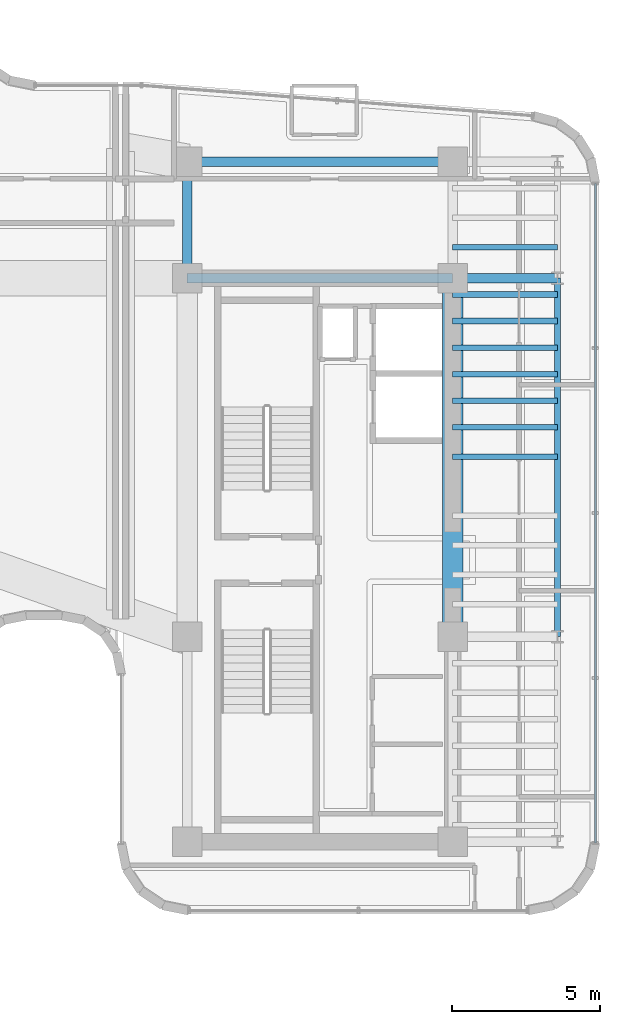
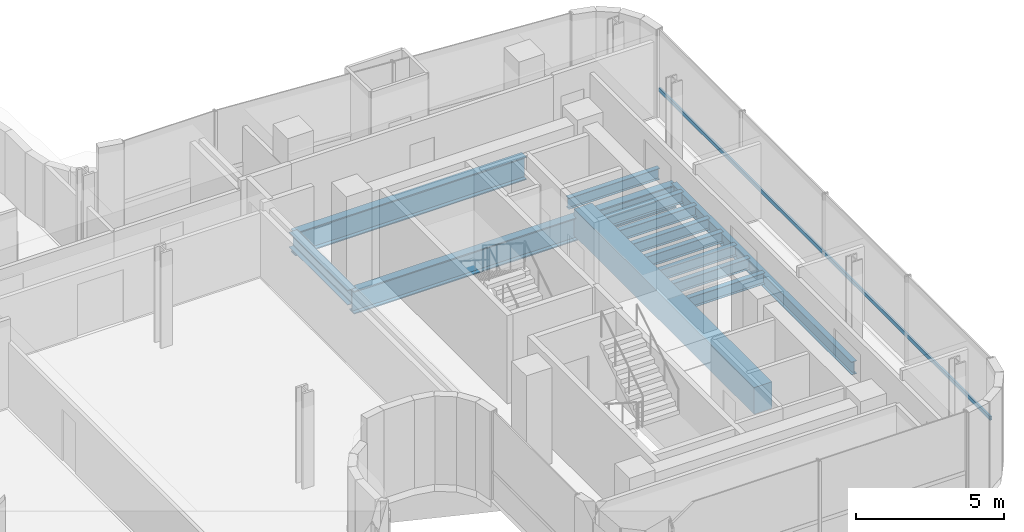
# One storey, part 15 of 36: 14 beams, 1 member, 1 element without a shape of its own.
"""IFC4 building model written with IfcOpenShell, lengths in metres."""

from ifc_helpers import new_model, si_unit, direction, frame, origin, origin_2d, place, context, subcontext, project, spatial, rectangle, hollow_rectangle, i_section, extrude, source, transform, mapped, material, material_profile, profile_set, type_object, element, aggregate, save


model = new_model("IFC4")

# Units and contexts
model_context = context("Model", 3, precision=1e-05, world=origin(), true_north=direction((0.0, 1.0)))
body_context = subcontext(model_context, "Body", "Model", "MODEL_VIEW")
ifc_project = project(units=[si_unit("LENGTHUNIT", "METRE"), si_unit("AREAUNIT", "SQUARE_METRE"), si_unit("VOLUMEUNIT", "CUBIC_METRE"), si_unit("PLANEANGLEUNIT", "RADIAN"), si_unit("MASSUNIT", "GRAM", prefix="KILO")], contexts=[model_context])

# Site, building, storey
site_placement = place(None, origin())
site = spatial("IfcSite", under=ifc_project, at=site_placement, CompositionType="ELEMENT")
building_placement = place(site_placement, origin())
building = spatial("IfcBuilding", under=site, at=building_placement, Name="Valdorenza Pilgrim Sanctuary Tower", CompositionType="ELEMENT")
storey_placement = place(building_placement, frame((0.0, 0.0, 176.550048828125)))
storey = spatial("IfcBuildingStorey", under=building, at=storey_placement, Name="L45", CompositionType="ELEMENT", Elevation=176.550048828125)

# Beams
ifc_material_1 = material(Name="Concrete C50/60", Category="concrete")
ifc_material_profile_1 = material_profile(ifc_material_1, rectangle(XDim=0.699951171875, YDim=1.10009765625, at=origin_2d()), Name="RC 1100x700")
ifc_profile_set_1 = profile_set([ifc_material_profile_1], Name="Concrete C50/60")
beam_type_1 = type_object("IfcBeamType", Name="STR-BM-LNT-1100", PredefinedType="LINTEL", material=ifc_profile_set_1)
shared_shape_1 = source(origin(), body_context, "Body", "SweptSolid", [
    extrude(rectangle(XDim=0.699951171875, YDim=1.10009765625, at=origin_2d()), origin(), (0.0, 0.0, 1.0), 12.150146484375),
])
beam_1_placement = place(storey_placement, frame((24.85009765625, -2.60009765625, -0.590087890625), z_axis=(0.0, 1.0, 0.0), x_axis=(-1.0, 0.0, 0.0)))
element("IfcBeam", 1, at=beam_1_placement, inside=storey, type_object=beam_type_1, Name="L45 Core B East Coupling Lintel Girder", PredefinedType="LINTEL", context=body_context, shape_type="MappedRepresentation", body=[
    mapped(shared_shape_1, transform((0.0, 0.0, 0.0), x_axis=(1.0, 0.0, 0.0), y_axis=(0.0, 1.0, 0.0), z_axis=(0.0, 0.0, 1.0), scale=1.0)),
])
ifc_material_2 = material(Name="Steel ASTM A992 Grade 50", Category="steel")
ifc_material_profile_2 = material_profile(ifc_material_2, i_section(OverallWidth=0.323974609375, OverallDepth=0.611083984375, WebThickness=0.0126953125, FlangeThickness=0.01904296875, at=origin_2d()), Name="W24X104")
ifc_profile_set_2 = profile_set([ifc_material_profile_2], Name="Steel ASTM A992 Grade 50")
beam_type_2 = type_object("IfcBeamType", Name="STR-BM-GRD-W24B", PredefinedType="BEAM", material=ifc_profile_set_2)
shared_shape_2 = source(origin(), body_context, "Body", "SweptSolid", [
    extrude(i_section(OverallWidth=0.323974609375, OverallDepth=0.611083984375, WebThickness=0.0126953125, FlangeThickness=0.01904296875, at=origin_2d()), origin(), (0.0, 0.0, 1.0), 3.949951171875),
])
beam_2_placement = place(storey_placement, frame((15.85009765625, 9.550048828125, -0.62548828125), z_axis=(0.0, 1.0, 0.0), x_axis=(-1.0, 0.0, 0.0)))
element("IfcBeam", 2, at=beam_2_placement, inside=storey, type_object=beam_type_2, Name="L45 Core Tie Girder CB-W-N1N2", PredefinedType="BEAM", context=body_context, shape_type="MappedRepresentation", body=[
    mapped(shared_shape_2, transform((0.0, 0.0, 0.0), x_axis=(1.0, 0.0, 0.0), y_axis=(0.0, 1.0, 0.0), z_axis=(0.0, 0.0, 1.0), scale=1.0)),
])
ifc_material_profile_3 = material_profile(ifc_material_2, i_section(OverallWidth=0.19091796875, OverallDepth=0.45703125, WebThickness=0.009033203125, FlangeThickness=0.014404296875, at=origin_2d()), Name="W18X50")
ifc_profile_set_3 = profile_set([ifc_material_profile_3], Name="Steel ASTM A992 Grade 50")
beam_type_3 = type_object("IfcBeamType", Name="STR-BM-JST-W18B", PredefinedType="JOIST", material=ifc_profile_set_3)
shared_shape_3 = source(origin(), body_context, "Body", "SweptSolid", [
    extrude(i_section(OverallWidth=0.19091796875, OverallDepth=0.45703125, WebThickness=0.009033203125, FlangeThickness=0.014404296875, at=origin_2d()), origin(), (0.0, 0.0, 1.0), 3.5498046875),
])
for number, where, z_axis, x_axis, name in (
    (3, (24.85009765625, 3.5, -0.548583984375), (1.0, 0.0, 0.0), (0.0, 1.0, 0.0), "L45 Composite Floor Joist JST-WB-12"),
    (4, (24.85009765625, 4.5, -0.548583984375), (1.0, 0.0, 0.0), (0.0, 1.0, 0.0), "L45 Composite Floor Joist JST-WB-13"),
    (5, (24.85009765625, 5.39990234375, -0.548583984375), (1.0, 0.0, 0.0), (0.0, 1.0, 0.0), "L45 Composite Floor Joist JST-WB-14"),
    (6, (24.85009765625, 6.300048828125, -0.548583984375), (1.0, 0.0, 0.0), (0.0, 1.0, 0.0), "L45 Composite Floor Joist JST-WB-15"),
    (7, (24.85009765625, 7.199951171875, -0.548583984375), (1.0, 0.0, 0.0), (0.0, 1.0, 0.0), "L45 Composite Floor Joist JST-WB-16"),
    (8, (24.85009765625, 8.10009765625, -0.548583984375), (1.0, 0.0, 0.0), (0.0, 1.0, 0.0), "L45 Composite Floor Joist JST-WB-17"),
    (9, (24.85009765625, 9.0, -0.548583984375), (1.0, 0.0, 0.0), (0.0, 1.0, 0.0), "L45 Composite Floor Joist JST-WB-18"),
    (10, (24.85009765625, 10.60009765625, -0.548583984375), (1.0, 0.0, 0.0), (0.0, 1.0, 0.0), "L45 Composite Floor Joist JST-WB-19"),
):
    element("IfcBeam", number, at=place(storey_placement, frame(where, z_axis=z_axis, x_axis=x_axis)), inside=storey, type_object=beam_type_3, Name=name, PredefinedType="JOIST", context=body_context, shape_type="MappedRepresentation", body=[
        mapped(shared_shape_3, transform((0.0, 0.0, 0.0), x_axis=(1.0, 0.0, 0.0), y_axis=(0.0, 1.0, 0.0), z_axis=(0.0, 0.0, 1.0), scale=1.0)),
    ])
ifc_material_profile_4 = material_profile(ifc_material_2, i_section(OverallWidth=0.2109375, OverallDepth=0.5390625, WebThickness=0.01171875, FlangeThickness=0.018798828125, at=origin_2d()), Name="W21X73")
ifc_profile_set_4 = profile_set([ifc_material_profile_4], Name="Steel ASTM A992 Grade 50")
beam_type_4 = type_object("IfcBeamType", Name="STR-BM-SPN-W21B", PredefinedType="SPANDREL", material=ifc_profile_set_4)
shared_shape_4 = source(origin(), body_context, "Body", "SweptSolid", [
    extrude(i_section(OverallWidth=0.2109375, OverallDepth=0.5390625, WebThickness=0.01171875, FlangeThickness=0.018798828125, at=origin_2d()), origin(), (0.0, 0.0, 1.0), 12.150146484375),
])
beam_3_placement = place(storey_placement, frame((28.39990234375, -2.60009765625, -0.589599609375), z_axis=(0.0, 1.0, 0.0), x_axis=(-1.0, 0.0, 0.0)))
element("IfcBeam", 11, at=beam_3_placement, inside=storey, type_object=beam_type_4, Name="L45 Spandrel Beam WB-E-M0N1", PredefinedType="SPANDREL", context=body_context, shape_type="MappedRepresentation", body=[
    mapped(shared_shape_4, transform((0.0, 0.0, 0.0), x_axis=(1.0, 0.0, 0.0), y_axis=(0.0, 1.0, 0.0), z_axis=(0.0, 0.0, 1.0), scale=1.0)),
])
ifc_material_profile_5 = material_profile(ifc_material_2, i_section(OverallWidth=0.31005859375, OverallDepth=0.949951171875, WebThickness=0.0244140625, FlangeThickness=0.0439453125, at=origin_2d()), Name="W36X256")
ifc_profile_set_5 = profile_set([ifc_material_profile_5], Name="Steel ASTM A992 Grade 50")
beam_type_5 = type_object("IfcBeamType", Name="STR-BM-GRD-W36B", PredefinedType="BEAM", material=ifc_profile_set_5)
shared_shape_5 = source(origin(), body_context, "Body", "SweptSolid", [
    extrude(i_section(OverallWidth=0.31005859375, OverallDepth=0.949951171875, WebThickness=0.0244140625, FlangeThickness=0.0439453125, at=origin_2d()), origin(), (0.0, 0.0, 1.0), 9.0),
])
for number, where, z_axis, x_axis, name in (
    (12, (15.85009765625, 9.550048828125, -0.795166015625), (1.0, 0.0, 0.0), (0.0, 1.0, 0.0), "L45 Floor Girder CB-XC-N1"),
    (13, (15.85009765625, 13.5, -0.795166015625), (1.0, 0.0, 0.0), (0.0, 1.0, 0.0), "L45 Floor Girder CB-XC-N2"),
):
    element("IfcBeam", number, at=place(storey_placement, frame(where, z_axis=z_axis, x_axis=x_axis)), inside=storey, type_object=beam_type_5, Name=name, PredefinedType="BEAM", context=body_context, shape_type="MappedRepresentation", body=[
        mapped(shared_shape_5, transform((0.0, 0.0, 0.0), x_axis=(1.0, 0.0, 0.0), y_axis=(0.0, 1.0, 0.0), z_axis=(0.0, 0.0, 1.0), scale=1.0)),
    ])
shared_shape_6 = source(origin(), body_context, "Body", "SweptSolid", [
    extrude(i_section(OverallWidth=0.31005859375, OverallDepth=0.949951171875, WebThickness=0.0244140625, FlangeThickness=0.0439453125, at=origin_2d()), origin(), (0.0, 0.0, 1.0), 3.5498046875),
])
beam_4_placement = place(storey_placement, frame((24.85009765625, 9.550048828125, -0.795166015625), z_axis=(1.0, 0.0, 0.0), x_axis=(0.0, 1.0, 0.0)))
element("IfcBeam", 14, at=beam_4_placement, inside=storey, type_object=beam_type_5, Name="L45 Floor Girder WB-XE-N1", PredefinedType="BEAM", context=body_context, shape_type="MappedRepresentation", body=[
    mapped(shared_shape_6, transform((0.0, 0.0, 0.0), x_axis=(1.0, 0.0, 0.0), y_axis=(0.0, 1.0, 0.0), z_axis=(0.0, 0.0, 1.0), scale=1.0)),
])

# Curtain wall, member
ifc_material_3 = material(Name="Curtain-wall IGU glazing", Category="glass")
curtain_wall_type = type_object("IfcCurtainWallType", Name="CW-SYS-03", PredefinedType="NOTDEFINED", material=ifc_material_3)
curtain_wall_placement = place(storey_placement, origin())
curtain_wall = element("IfcCurtainWall", 15, at=curtain_wall_placement, inside=storey, type_object=curtain_wall_type, Name="L45 Curtain Wall CW-L45-1-37", PredefinedType="NOTDEFINED")
ifc_material_4 = material(Name="Anodised aluminium AW-6060", Category="aluminium")
ifc_material_profile_6 = material_profile(ifc_material_4, hollow_rectangle(XDim=0.074951171875, YDim=0.159912109375, WallThickness=0.00390625, at=origin_2d()), Name="ALU-T 160x75x4")
ifc_profile_set_6 = profile_set([ifc_material_profile_6], Name="Anodised aluminium AW-6060")
member_type = type_object("IfcMemberType", Name="CW-TRN-03", PredefinedType="USERDEFINED", material=ifc_profile_set_6)
shared_shape_7 = source(origin(), body_context, "Body", "SweptSolid", [
    extrude(hollow_rectangle(XDim=0.074951171875, YDim=0.159912109375, WallThickness=0.00390625, at=origin_2d()), origin(), (0.0, 0.0, 1.0), 22.357421875),
])
member_placement = place(storey_placement, frame((29.68994140625, 12.768310546875, 1.119873046875), z_axis=(0.0, -1.0, 0.0), x_axis=(1.0, 0.0, 0.0)))
member = element("IfcMember", 16, at=member_placement, type_object=member_type, Name="CW-L45-1-37 Transom 1", ObjectType="TRANSOM", PredefinedType="USERDEFINED", context=body_context, shape_type="MappedRepresentation", body=[
    mapped(shared_shape_7, transform((0.0, 0.0, 0.0), x_axis=(1.0, 0.0, 0.0), y_axis=(0.0, 1.0, 0.0), z_axis=(0.0, 0.0, 1.0), scale=1.0)),
])
aggregate(curtain_wall, [member])

save(model, "model.ifc")
